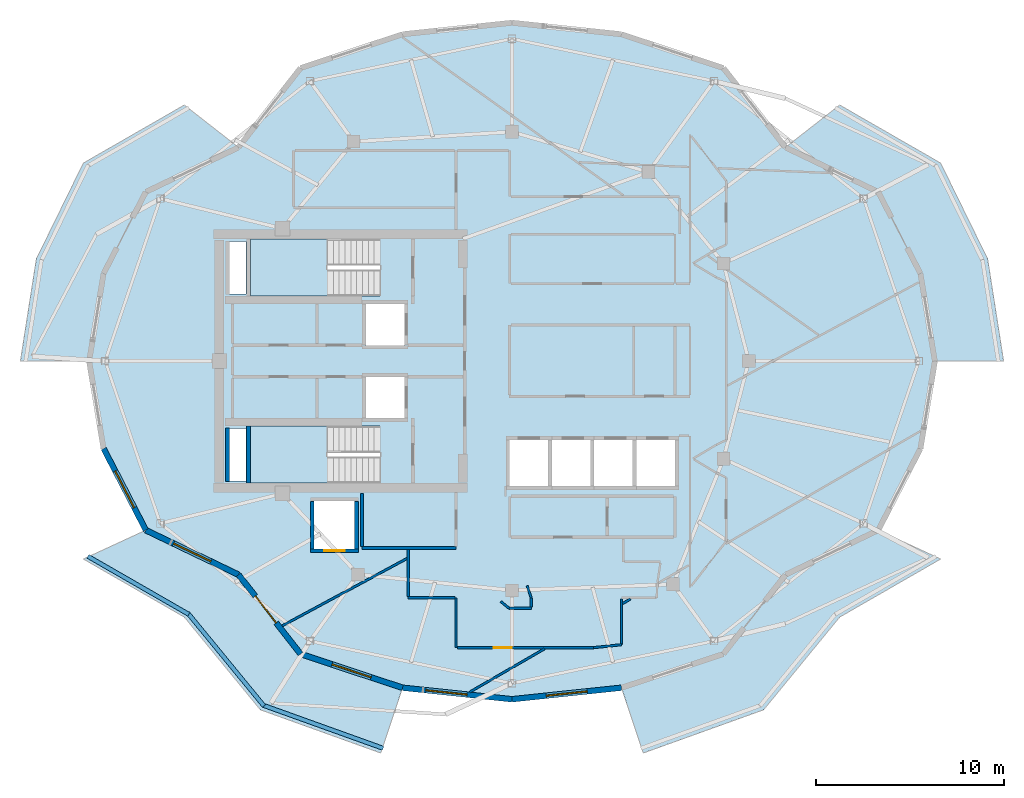
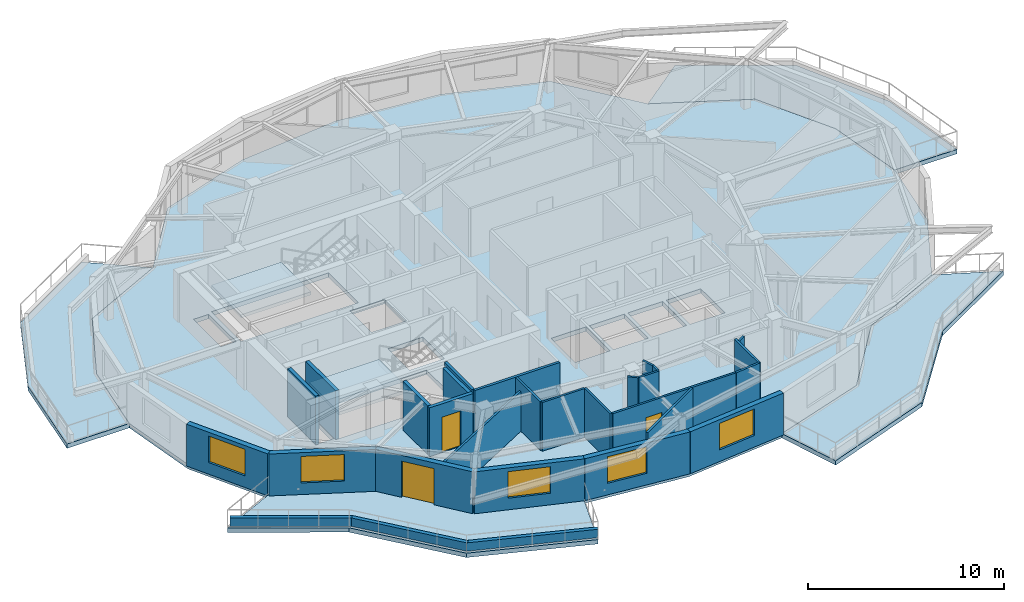
# One storey, part 3 of 9: 29 walls, 7 slabs, 5 windows, 3 doors, 8 openings, 2 elements without a shape of their own.
"""IFC4 building model written with IfcOpenShell, lengths in metres."""

from ifc_helpers import new_model, si_unit, direction, frame, frame_2d, origin, place, context, subcontext, project, spatial, polyline, rectangle, outline, extrude, material, layer, layer_set, type_object, element, fill, aggregate, save


model = new_model("IFC4")

# Units and contexts
model_context = context("Model", 3, precision=1e-05, world=origin(), true_north=direction((0.0, 1.0)))
body_context = subcontext(model_context, "Body", "Model", "MODEL_VIEW")
ifc_project = project(units=[si_unit("LENGTHUNIT", "METRE"), si_unit("AREAUNIT", "SQUARE_METRE"), si_unit("VOLUMEUNIT", "CUBIC_METRE"), si_unit("PLANEANGLEUNIT", "RADIAN"), si_unit("MASSUNIT", "GRAM", prefix="KILO")], contexts=[model_context])

# Site, building, storey
site_placement = place(None, origin())
site = spatial("IfcSite", under=ifc_project, at=site_placement, CompositionType="ELEMENT")
building_placement = place(site_placement, origin())
building = spatial("IfcBuilding", under=site, at=building_placement, Name="Kolvaren Gate Tower and Convention Centre", CompositionType="ELEMENT")
storey_placement = place(building_placement, frame((0.0, 0.0, 249.199951171875)))
storey = spatial("IfcBuildingStorey", under=building, at=storey_placement, Name="L67", CompositionType="ELEMENT", Elevation=249.199951171875)

# Slabs
ifc_material_1 = material(Name="Concrete C50/60", Category="concrete")
ifc_layer_1 = layer(ifc_material_1, 0.27001953125)
ifc_layer_set_1 = layer_set([ifc_layer_1], Name="Concrete C50/60")
slab_type_1 = type_object("IfcSlabType", Name="STR-SL-BALC-270", PredefinedType="FLOOR", material=ifc_layer_set_1)
slab_1_placement = place(storey_placement, frame((0.0, 0.0, -0.27001953125)))
element("IfcSlab", 1, at=slab_1_placement, inside=storey, type_object=slab_type_1, Name="Tower L67 Planted Balcony Terrace Slab 1 (East)", PredefinedType="FLOOR", context=body_context, shape_type="SweptSolid", body=[
    extrude(outline(polyline([(52.625, 27.0), (51.8583984375, 31.65869140625), (49.610595703125, 36.0), (44.67724609375, 38.370361328125), (47.561279296875, 40.623779296875), (52.933349609375, 37.53466796875), (55.43701171875, 32.42578125), (56.284912109375, 27.0), (52.625, 27.0)])), origin(), (0.0, 0.0, 1.0), 0.27001953125),
])
slab_2_placement = place(storey_placement, frame((0.0, 0.0, -0.27001953125)))
element("IfcSlab", 2, at=slab_2_placement, inside=storey, type_object=slab_type_1, Name="Tower L67 Planted Balcony Terrace Slab 2 (West)", PredefinedType="FLOOR", context=body_context, shape_type="SweptSolid", body=[
    extrude(outline(polyline([(15.57275390625, 38.370361328125), (10.639404296875, 36.0), (8.3916015625, 31.65869140625), (7.625, 27.0), (3.965087890625, 27.0), (4.81298828125, 32.42578125), (7.316650390625, 37.53466796875), (12.688720703125, 40.623779296875), (15.57275390625, 38.370361328125)])), origin(), (0.0, 0.0, 1.0), 0.27001953125),
])
slab_3_placement = place(storey_placement, frame((0.0, 0.0, -0.27001953125)))
element("IfcSlab", 3, at=slab_3_placement, inside=storey, type_object=slab_type_1, Name="Tower L67 Planted Balcony Terrace Slab 3 (South)", PredefinedType="FLOOR", context=body_context, shape_type="SweptSolid", body=[
    extrude(outline(polyline([(10.639404296875, 18.0), (15.57275390625, 15.629638671875), (18.875, 11.41162109375), (24.301513671875, 9.61328125), (23.13916015625, 6.142822265625), (16.733154296875, 8.443603515625), (12.688720703125, 13.376220703125), (7.316650390625, 16.46533203125), (10.639404296875, 18.0)])), origin(), (0.0, 0.0, 1.0), 0.27001953125),
])
slab_4_placement = place(storey_placement, frame((0.0, 0.0, -0.27001953125)))
element("IfcSlab", 4, at=slab_4_placement, inside=storey, type_object=slab_type_1, Name="Tower L67 Planted Balcony Terrace Slab 4 (South)", PredefinedType="FLOOR", context=body_context, shape_type="SweptSolid", body=[
    extrude(outline(polyline([(35.948486328125, 9.61328125), (41.375, 11.41162109375), (44.67724609375, 15.629638671875), (49.610595703125, 18.0), (52.933349609375, 16.46533203125), (47.561279296875, 13.376220703125), (43.516845703125, 8.443603515625), (37.11083984375, 6.142822265625), (35.948486328125, 9.61328125)])), origin(), (0.0, 0.0, 1.0), 0.27001953125),
])
ifc_material_2 = material(Name="Concrete C40/50", Category="concrete")
ifc_layer_2 = layer(ifc_material_2, 0.27001953125)
ifc_layer_set_2 = layer_set([ifc_layer_2], Name="Concrete C40/50")
slab_type_2 = type_object("IfcSlabType", Name="STR-SL-FLR-270", PredefinedType="FLOOR", material=ifc_layer_set_2)
slab_5_placement = place(storey_placement, frame((0.0, 0.0, -0.27001953125)))
element("IfcSlab", 5, at=slab_5_placement, inside=storey, type_object=slab_type_2, Name="Tower L67 Structural Floor Slab", PredefinedType="FLOOR", context=body_context, shape_type="SweptSolid", body=[
    extrude(outline(polyline([(52.625, 27.0), (51.8583984375, 31.65869140625), (49.610595703125, 36.0), (44.67724609375, 38.370361328125), (41.375, 42.58837890625), (35.948486328125, 44.38671875), (30.125, 45.0), (24.301513671875, 44.38671875), (18.875, 42.58837890625), (15.57275390625, 38.370361328125), (10.639404296875, 36.0), (8.3916015625, 31.65869140625), (7.625, 27.0), (8.3916015625, 22.34130859375), (10.639404296875, 18.0), (15.57275390625, 15.629638671875), (18.875, 11.41162109375), (24.301513671875, 9.61328125), (30.125, 9.0), (35.948486328125, 9.61328125), (41.375, 11.41162109375), (44.67724609375, 15.629638671875), (49.610595703125, 18.0), (51.8583984375, 22.34130859375), (52.625, 27.0)]), holes=[polyline([(36.75, 20.35009765625), (36.75, 22.800048828125), (38.800048828125, 22.800048828125), (38.800048828125, 20.35009765625), (36.75, 20.35009765625)]), polyline([(36.550048828125, 20.35009765625), (34.5, 20.35009765625), (34.5, 22.800048828125), (36.550048828125, 22.800048828125), (36.550048828125, 20.35009765625)]), polyline([(32.25, 20.35009765625), (32.25, 22.800048828125), (34.300048828125, 22.800048828125), (34.300048828125, 20.35009765625), (32.25, 20.35009765625)]), polyline([(30.0, 20.35009765625), (30.0, 22.800048828125), (32.050048828125, 22.800048828125), (32.050048828125, 20.35009765625), (30.0, 20.35009765625)]), polyline([(22.35009765625, 23.9599609375), (22.35009765625, 26.159912109375), (24.39990234375, 26.159912109375), (24.39990234375, 23.9599609375), (22.35009765625, 23.9599609375)]), polyline([(22.35009765625, 27.840087890625), (22.35009765625, 30.0400390625), (24.39990234375, 30.0400390625), (24.39990234375, 27.840087890625), (22.35009765625, 27.840087890625)]), polyline([(16.199951171875, 23.5400390625), (23.10009765625, 23.5400390625), (23.10009765625, 20.5), (16.199951171875, 20.5), (16.199951171875, 23.5400390625)]), polyline([(16.199951171875, 33.5), (23.10009765625, 33.5), (23.10009765625, 30.4599609375), (16.199951171875, 30.4599609375), (16.199951171875, 33.5)]), polyline([(21.75, 17.0), (19.60009765625, 17.0), (19.60009765625, 19.550048828125), (21.75, 19.550048828125), (21.75, 17.0)]), polyline([(15.080078125, 30.580078125), (15.080078125, 33.3701171875), (15.969970703125, 33.3701171875), (15.969970703125, 30.580078125), (15.080078125, 30.580078125)]), polyline([(15.969970703125, 20.6298828125), (15.080078125, 20.6298828125), (15.080078125, 23.419921875), (15.969970703125, 23.419921875), (15.969970703125, 20.6298828125)])]), origin(), (0.0, 0.0, 1.0), 0.27001953125),
])

# Stair, slab
stair_type = type_object("IfcStairType", Name="STR-STAIR-CORE", PredefinedType="HALF_TURN_STAIR", material=ifc_material_1)
stair_1_placement = place(storey_placement, origin())
stair_1 = element("IfcStair", 6, at=stair_1_placement, inside=storey, type_object=stair_type, Name="L67 Tower North Exit Stair ST-T1", PredefinedType="HALF_TURN_STAIR")
ifc_layer_3 = layer(ifc_material_1, 0.199951171875)
ifc_layer_set_3 = layer_set([ifc_layer_3], Name="Concrete C50/60")
slab_type_3 = type_object("IfcSlabType", Name="STR-SL-LAND-200", PredefinedType="LANDING", material=ifc_layer_set_3)
slab_6_placement = place(storey_placement, frame((0.0, 0.0, 1.449951171875)))
slab_6 = element("IfcSlab", 7, at=slab_6_placement, type_object=slab_type_3, Name="ST-T1 landing 1", PredefinedType="LANDING", context=body_context, shape_type="SweptSolid", body=[
    extrude(outline(polyline([(20.31005859375, 33.5), (16.199951171875, 33.5), (16.199951171875, 30.4599609375), (20.31005859375, 30.4599609375), (20.31005859375, 33.5)])), origin(), (0.0, 0.0, 1.0), 0.2001953125),
])
aggregate(stair_1, [slab_6])

stair_2_placement = place(storey_placement, origin())
stair_2 = element("IfcStair", 8, at=stair_2_placement, inside=storey, type_object=stair_type, Name="L67 Tower South Exit Stair ST-T2", PredefinedType="HALF_TURN_STAIR")
slab_7_placement = place(storey_placement, frame((0.0, 0.0, 1.449951171875)))
slab_7 = element("IfcSlab", 9, at=slab_7_placement, type_object=slab_type_3, Name="ST-T2 landing 1", PredefinedType="LANDING", context=body_context, shape_type="SweptSolid", body=[
    extrude(outline(polyline([(20.31005859375, 23.5400390625), (16.199951171875, 23.5400390625), (16.199951171875, 20.5), (20.31005859375, 20.5), (20.31005859375, 23.5400390625)])), origin(), (0.0, 0.0, 1.0), 0.2001953125),
])
aggregate(stair_2, [slab_7])

# Walls
ifc_material_3 = material(Name="Fire-Rated Acoustic Gypsum Stud Partition", Category="gypsum")
ifc_layer_4 = layer(ifc_material_3, 0.1201171875)
ifc_layer_set_4 = layer_set([ifc_layer_4], Name="Fire-Rated Acoustic Gypsum Stud Partition")
wall_type_1 = type_object("IfcWallType", Name="ARCH-WL-PART-120", PredefinedType="PARTITIONING", material=ifc_layer_set_4)
wall_1_placement = place(storey_placement, frame((27.14990234375, 11.75, 0.0), z_axis=(0.0, 0.0, 1.0), x_axis=(0.0, 1.0, 0.0)))
element("IfcWall", 10, at=wall_1_placement, inside=storey, type_object=wall_type_1, Name="Interior Partition WL-L67-INT-011", PredefinedType="PARTITIONING", context=body_context, shape_type="SweptSolid", body=[
    extrude(rectangle(XDim=2.64990234375, YDim=0.1201171875, at=frame_2d((1.324951171875, 0.0))), origin(), (0.0, 0.0, 1.0), 3.030029296875),
])
wall_2_placement = place(storey_placement, frame((24.60009765625, 14.39990234375, 0.0), z_axis=(0.0, 0.0, 1.0), x_axis=(1.0, 0.0, 0.0)))
element("IfcWall", 11, at=wall_2_placement, inside=storey, type_object=wall_type_1, Name="Interior Partition WL-L67-INT-056", PredefinedType="PARTITIONING", context=body_context, shape_type="SweptSolid", body=[
    extrude(rectangle(XDim=2.48779296875, YDim=0.1201171875, at=frame_2d((1.243896484375, 0.0))), origin(), (0.0, 0.0, 1.0), 3.030029296875),
])
wall_3_placement = place(storey_placement, frame((35.949951171875, 11.906005859375, 0.0), z_axis=(0.0, 0.0, 1.0), x_axis=(0.0, 1.0, 0.0)))
element("IfcWall", 12, at=wall_3_placement, inside=storey, type_object=wall_type_1, Name="Interior Partition WL-L67-INT-058", PredefinedType="PARTITIONING", context=body_context, shape_type="SweptSolid", body=[
    extrude(rectangle(XDim=2.431884765625, YDim=0.1201171875, at=frame_2d((1.2158203125, 0.0))), origin(), (0.0, 0.0, 1.0), 3.030029296875),
])
wall_4_placement = place(storey_placement, frame((34.468017578125, 11.75, 0.0), z_axis=(0.0, 0.0, 1.0), x_axis=(0.994504555135, 0.104693313135, 0.0)))
element("IfcWall", 13, at=wall_4_placement, inside=storey, type_object=wall_type_1, Name="Interior Partition WL-L67-INT-059", PredefinedType="PARTITIONING", context=body_context, shape_type="SweptSolid", body=[
    extrude(rectangle(XDim=1.490234375, YDim=0.1201171875, at=frame_2d((0.7451171875, 0.0))), origin(), (0.0, 0.0, 1.0), 3.030029296875),
])

# Wall, opening, door
wall_5_placement = place(storey_placement, frame((27.2119140625, 11.75, 0.0), z_axis=(0.0, 0.0, 1.0), x_axis=(1.0, 0.0, 0.0)))
wall_5 = element("IfcWall", 14, at=wall_5_placement, inside=storey, type_object=wall_type_1, Name="Interior Partition WL-L67-INT-060", PredefinedType="PARTITIONING", context=body_context, shape_type="SweptSolid", body=[
    extrude(rectangle(XDim=7.256103515625, YDim=0.1201171875, at=frame_2d((3.6279296875, 0.0))), origin(), (0.0, 0.0, 1.0), 3.030029296875),
])
opening_1_placement = place(wall_5_placement, frame((1.94384765625, 0.0, 0.0)))
opening_1 = element("IfcOpeningElement", 15, at=opening_1_placement, cuts=wall_5, Name="Opening DR-01", PredefinedType="OPENING", context=body_context, shape_type="SweptSolid", body=[
    extrude(rectangle(XDim=0.949951171875, YDim=2.10009765625, at=frame_2d((0.47509765625, 1.050048828125))), frame((0.0, 0.070068359375, 0.0), z_axis=(0.0, -1.0, 0.0), x_axis=(1.0, 0.0, 0.0)), (0.0, 0.0, 1.0), 0.14013671875),
])
ifc_material_4 = material(Name="Painted Architectural Steelwork ASTM A500 Grade C 345 MPa", Category="steel")
door_type_1 = type_object("IfcDoorType", Name="ARCH-DR-RISER-950", OperationType="SINGLE_SWING_RIGHT", PredefinedType="DOOR", material=ifc_material_4)
door_1_placement = place(opening_1_placement, origin())
door_1 = element("IfcDoor", 16, at=door_1_placement, inside=storey, type_object=door_type_1, Name="Penthouse Strategy Boardroom Door", OperationType="SINGLE_SWING_RIGHT", OverallHeight=2.10009765625, OverallWidth=0.949951171875, PredefinedType="DOOR", context=body_context, shape_type="SweptSolid", body=[
    extrude(rectangle(XDim=0.949951171875, YDim=2.10009765625, at=frame_2d((0.47509765625, 1.050048828125))), frame((0.0, 0.02490234375, 0.0), z_axis=(0.0, -1.0, 0.0), x_axis=(1.0, 0.0, 0.0)), (0.0, 0.0, 1.0), 0.050048828125),
])
fill(opening_1, door_1)

# Walls
wall_6_placement = place(storey_placement, frame((24.60009765625, 14.4619140625, 0.0), z_axis=(0.0, 0.0, 1.0), x_axis=(0.0, 1.0, 0.0)))
element("IfcWall", 17, at=wall_6_placement, inside=storey, type_object=wall_type_1, Name="Interior Partition WL-L67-INT-061", PredefinedType="PARTITIONING", context=body_context, shape_type="SweptSolid", body=[
    extrude(rectangle(XDim=2.510986328125, YDim=0.1201171875, at=frame_2d((1.25537109375, 0.0))), origin(), (0.0, 0.0, 1.0), 3.030029296875),
])
wall_7_placement = place(storey_placement, frame((29.9599609375, 13.85009765625, 0.0), z_axis=(0.0, 0.0, 1.0), x_axis=(1.0, 0.0, 0.0)))
element("IfcWall", 18, at=wall_7_placement, inside=storey, type_object=wall_type_1, Name="Interior Partition WL-L67-INT-062", PredefinedType="PARTITIONING", context=body_context, shape_type="SweptSolid", body=[
    extrude(rectangle(XDim=1.18994140625, YDim=0.1201171875, at=frame_2d((0.594970703125, 0.0))), origin(), (0.0, 0.0, 1.0), 3.030029296875),
])
wall_8_placement = place(storey_placement, frame((31.14990234375, 13.912109375, 0.0), z_axis=(0.0, 0.0, 1.0), x_axis=(0.0, 1.0, 0.0)))
element("IfcWall", 19, at=wall_8_placement, inside=storey, type_object=wall_type_1, Name="Interior Partition WL-L67-INT-063", PredefinedType="PARTITIONING", context=body_context, shape_type="SweptSolid", body=[
    extrude(rectangle(XDim=0.48779296875, YDim=0.1201171875, at=frame_2d((0.243896484375, 0.0))), origin(), (0.0, 0.0, 1.0), 3.030029296875),
])
wall_9_placement = place(storey_placement, frame((30.928955078125, 15.0439453125, 0.0), z_axis=(0.0, 0.0, 1.0), x_axis=(0.324498492416, -0.945886213252, 0.0)))
element("IfcWall", 20, at=wall_9_placement, inside=storey, type_object=wall_type_1, Name="Interior Partition WL-L67-INT-064", PredefinedType="PARTITIONING", context=body_context, shape_type="SweptSolid", body=[
    extrude(rectangle(XDim=0.680908203125, YDim=0.1201171875, at=frame_2d((0.34033203125, 0.0))), origin(), (0.0, 0.0, 1.0), 3.030029296875),
])
wall_10_placement = place(storey_placement, frame((29.531005859375, 14.2060546875, 0.0), z_axis=(0.0, 0.0, 1.0), x_axis=(0.7695479554, -0.638589026166, 0.0)))
element("IfcWall", 21, at=wall_10_placement, inside=storey, type_object=wall_type_1, Name="Interior Partition WL-L67-INT-065", PredefinedType="PARTITIONING", context=body_context, shape_type="SweptSolid", body=[
    extrude(rectangle(XDim=0.557373046875, YDim=0.1201171875, at=frame_2d((0.27880859375, 0.0))), origin(), (0.0, 0.0, 1.0), 3.030029296875),
])
wall_11_placement = place(storey_placement, frame((17.895263671875, 12.90966796875, 0.0), z_axis=(0.0, 0.0, 1.0), x_axis=(0.880038694226, 0.474901986377, 0.0)))
element("IfcWall", 22, at=wall_11_placement, inside=storey, type_object=wall_type_1, Name="Interior Partition WL-L67-INT-066", PredefinedType="PARTITIONING", context=body_context, shape_type="SweptSolid", body=[
    extrude(rectangle(XDim=7.54833984375, YDim=0.1201171875, at=frame_2d((3.774169921875, 0.0))), origin(), (0.0, 0.0, 1.0), 2.47802734375),
])
wall_12_placement = place(storey_placement, frame((27.884033203125, 9.388916015625, 0.0), z_axis=(0.0, 0.0, 1.0), x_axis=(0.865363124713, 0.501145350558, 0.0)))
element("IfcWall", 23, at=wall_12_placement, inside=storey, type_object=wall_type_1, Name="Interior Partition WL-L67-INT-068", PredefinedType="PARTITIONING", context=body_context, shape_type="SweptSolid", body=[
    extrude(rectangle(XDim=4.587646484375, YDim=0.1201171875, at=frame_2d((2.2939453125, 0.0))), origin(), (0.0, 0.0, 1.0), 3.030029296875),
])
wall_13_placement = place(storey_placement, frame((36.011962890625, 14.09619140625, 0.0), z_axis=(0.0, 0.0, 1.0), x_axis=(0.865553251364, 0.500816901724, 0.0)))
element("IfcWall", 24, at=wall_13_placement, inside=storey, type_object=wall_type_1, Name="Interior Partition WL-L67-INT-069", PredefinedType="PARTITIONING", context=body_context, shape_type="SweptSolid", body=[
    extrude(rectangle(XDim=0.482666015625, YDim=0.1201171875, at=frame_2d((0.2412109375, 0.0))), origin(), (0.0, 0.0, 1.0), 3.030029296875),
])
ifc_material_5 = material(Name="Piedmont Cream Honed Limestone Cladding", Category="masonry")
ifc_layer_5 = layer(ifc_material_5, 0.219970703125)
ifc_layer_set_5 = layer_set([ifc_layer_5], Name="Piedmont Cream Honed Limestone Cladding")
wall_type_2 = type_object("IfcWallType", Name="ARCH-WL-PLANTER-220", PredefinedType="PARAPET", material=ifc_layer_set_5)
wall_14_placement = place(storey_placement, frame((7.556884765625, 16.609375, 0.0), z_axis=(0.0, 0.0, 1.0), x_axis=(0.866901621005, -0.49847926687, 0.0)))
element("IfcWall", 25, at=wall_14_placement, inside=storey, type_object=wall_type_2, Name="Vertical-Forest Balcony Stone Planter Kerb PK-L67-3.1", PredefinedType="PARAPET", context=body_context, shape_type="SweptSolid", body=[
    extrude(rectangle(XDim=6.196533203125, YDim=0.219970703125, at=frame_2d((3.09814453125, 0.0))), origin(), (0.0, 0.0, 1.0), 0.52001953125),
])
wall_15_placement = place(storey_placement, frame((12.88232421875, 13.57861328125, 0.0), z_axis=(0.0, 0.0, 1.0), x_axis=(0.63407318032, -0.77327304492, 0.0)))
element("IfcWall", 26, at=wall_15_placement, inside=storey, type_object=wall_type_2, Name="Vertical-Forest Balcony Stone Planter Kerb PK-L67-3.2", PredefinedType="PARAPET", context=body_context, shape_type="SweptSolid", body=[
    extrude(rectangle(XDim=6.37890625, YDim=0.219970703125, at=frame_2d((3.189453125, 0.0))), origin(), (0.0, 0.0, 1.0), 0.52001953125),
])
wall_16_placement = place(storey_placement, frame((16.86181640625, 8.6923828125, 0.0), z_axis=(0.0, 0.0, 1.0), x_axis=(0.941139090914, -0.338019543152, 0.0)))
element("IfcWall", 27, at=wall_16_placement, inside=storey, type_object=wall_type_2, Name="Vertical-Forest Balcony Stone Planter Kerb PK-L67-3.3", PredefinedType="PARAPET", context=body_context, shape_type="SweptSolid", body=[
    extrude(rectangle(XDim=6.806640625, YDim=0.219970703125, at=frame_2d((3.4033203125, 0.0))), origin(), (0.0, 0.0, 1.0), 0.52001953125),
])

# Wall, opening, door
ifc_material_6 = material(Name="Autoclaved Aerated Masonry Blockwork Class 4 (4.0 MPa)", Category="masonry")
ifc_layer_6 = layer(ifc_material_6, 0.199951171875)
ifc_layer_set_6 = layer_set([ifc_layer_6], Name="Autoclaved Aerated Masonry Blockwork Class 4 (4.0 MPa)")
wall_type_3 = type_object("IfcWallType", Name="ARCH-WL-SHAFT-200", PredefinedType="SOLIDWALL", material=ifc_layer_set_6)
wall_17_placement = place(storey_placement, frame((19.39990234375, 16.89990234375, 0.0), z_axis=(0.0, 0.0, 1.0), x_axis=(1.0, 0.0, 0.0)))
wall_17 = element("IfcWall", 28, at=wall_17_placement, inside=storey, type_object=wall_type_3, Name="Elevator SV-01 L67 Fire Shaft Wall S", PredefinedType="SOLIDWALL", context=body_context, shape_type="SweptSolid", body=[
    extrude(rectangle(XDim=2.550048828125, YDim=0.199951171875, at=frame_2d((1.27490234375, 0.0))), origin(), (0.0, 0.0, 1.0), 3.030029296875),
])
opening_2_placement = place(wall_17_placement, frame((0.72509765625, 0.0, 0.0)))
opening_2 = element("IfcOpeningElement", 29, at=opening_2_placement, cuts=wall_17, Name="Opening LD", PredefinedType="OPENING", context=body_context, shape_type="SweptSolid", body=[
    extrude(rectangle(XDim=1.10009765625, YDim=2.199951171875, at=frame_2d((0.550048828125, 1.10009765625))), frame((0.0, 0.10986328125, 0.0), z_axis=(0.0, -1.0, 0.0), x_axis=(1.0, 0.0, 0.0)), (0.0, 0.0, 1.0), 0.219970703125),
])
ifc_material_7 = material(Name="Brushed Stainless Steel Grade 316L", Category="steel")
door_type_2 = type_object("IfcDoorType", Name="ARCH-DR-LIFT-1100", OperationType="SLIDING_TO_LEFT", PredefinedType="DOOR", material=ifc_material_7)
door_2_placement = place(opening_2_placement, origin())
door_2 = element("IfcDoor", 30, at=door_2_placement, inside=storey, type_object=door_type_2, Name="Elevator SV-01 L67 Sliding Landing Door", OperationType="SLIDING_TO_LEFT", OverallHeight=2.199951171875, OverallWidth=1.10009765625, PredefinedType="DOOR", context=body_context, shape_type="SweptSolid", body=[
    extrude(rectangle(XDim=1.10009765625, YDim=2.199951171875, at=frame_2d((0.550048828125, 1.10009765625))), frame((0.0, 0.02490234375, 0.0), z_axis=(0.0, -1.0, 0.0), x_axis=(1.0, 0.0, 0.0)), (0.0, 0.0, 1.0), 0.050048828125),
])
fill(opening_2, door_2)

# Walls
for number, where, z_axis, x_axis, name in (
    (31, (19.5, 17.010009765625, 0.0), (0.0, 0.0, 1.0), (0.0, 1.0, 0.0), "Elevator SV-01 L67 Fire Shaft Wall W"),
    (32, (21.85009765625, 17.010009765625, 0.0), (0.0, 0.0, 1.0), (0.0, 1.0, 0.0), "Elevator SV-01 L67 Fire Shaft Wall E"),
):
    element("IfcWall", number, at=place(storey_placement, frame(where, z_axis=z_axis, x_axis=x_axis)), inside=storey, type_object=wall_type_3, Name=name, PredefinedType="SOLIDWALL", context=body_context, shape_type="SweptSolid", body=[
        extrude(rectangle(XDim=2.530029296875, YDim=0.199951171875, at=frame_2d((1.26513671875, 0.0))), origin(), (0.0, 0.0, 1.0), 3.030029296875),
    ])
wall_18_placement = place(storey_placement, frame((14.989990234375, 20.60009765625, 0.0), z_axis=(0.0, 0.0, 1.0), x_axis=(0.0, 1.0, 0.0)))
element("IfcWall", 33, at=wall_18_placement, inside=storey, type_object=wall_type_3, Name="Vertical Shaft MPR L67 EI-120 Enclosure Wall W", PredefinedType="SOLIDWALL", context=body_context, shape_type="SweptSolid", body=[
    extrude(rectangle(XDim=2.849853515625, YDim=0.199951171875, at=frame_2d((1.4248046875, 0.0))), origin(), (0.0, 0.0, 1.0), 3.030029296875),
])

# Wall, opening, window
ifc_layer_7 = layer(ifc_material_5, 0.300048828125)
ifc_layer_set_7 = layer_set([ifc_layer_7], Name="Piedmont Cream Honed Limestone Cladding")
wall_type_4 = type_object("IfcWallType", Name="ARCH-WL-STONE-300", PredefinedType="SOLIDWALL", material=ifc_layer_set_7)
wall_19_placement = place(storey_placement, frame((8.3916015625, 22.34130859375, 0.0), z_axis=(0.0, 0.0, 1.0), x_axis=(0.459793771602, -0.888025724625, 0.0)))
wall_19 = element("IfcWall", 34, at=wall_19_placement, inside=storey, type_object=wall_type_4, Name="Tower L67 Honed Stone Spandrel Wall EW-13", PredefinedType="SOLIDWALL", context=body_context, shape_type="SweptSolid", body=[
    extrude(rectangle(XDim=4.888671875, YDim=0.300048828125, at=frame_2d((2.4443359375, 0.0))), origin(), (0.0, 0.0, 1.0), 2.60498046875),
])
opening_3_placement = place(wall_19_placement, frame((1.343994140625, 0.0, 0.719970703125)))
opening_3 = element("IfcOpeningElement", 35, at=opening_3_placement, cuts=wall_19, Name="Opening W-03", PredefinedType="OPENING", context=body_context, shape_type="SweptSolid", body=[
    extrude(rectangle(XDim=2.199951171875, YDim=1.64990234375, at=frame_2d((1.10009765625, 0.824951171875))), frame((0.0, 0.159912109375, 0.0), z_axis=(0.0, -1.0, 0.0), x_axis=(1.0, 0.0, 0.0)), (0.0, 0.0, 1.0), 0.320068359375),
])
ifc_material_8 = material(Name="Low-E Triple Insulated Glazing Unit 44 mm", Category="glass")
window_type = type_object("IfcWindowType", Name="ARCH-WN-RES-2200", PartitioningType="SINGLE_PANEL", PredefinedType="WINDOW", material=ifc_material_8)
window_1_placement = place(opening_3_placement, origin())
window_1 = element("IfcWindow", 36, at=window_1_placement, inside=storey, type_object=window_type, Name="Tower L67 Punched Stone Facade Window W-13", OverallHeight=1.64990234375, OverallWidth=2.199951171875, PartitioningType="SINGLE_PANEL", PredefinedType="WINDOW", context=body_context, shape_type="SweptSolid", body=[
    extrude(rectangle(XDim=2.199951171875, YDim=1.64990234375, at=frame_2d((1.10009765625, 0.824951171875))), frame((0.0, 0.030029296875, 0.0), z_axis=(0.0, -1.0, 0.0), x_axis=(1.0, 0.0, 0.0)), (0.0, 0.0, 1.0), 0.06005859375),
])
fill(opening_3, window_1)

wall_20_placement = place(storey_placement, frame((10.639404296875, 18.0, 0.0), z_axis=(0.0, 0.0, 1.0), x_axis=(0.901355238351, -0.433080517106, 0.0)))
wall_20 = element("IfcWall", 37, at=wall_20_placement, inside=storey, type_object=wall_type_4, Name="Tower L67 Honed Stone Spandrel Wall EW-14", PredefinedType="SOLIDWALL", context=body_context, shape_type="SweptSolid", body=[
    extrude(rectangle(XDim=5.47314453125, YDim=0.300048828125, at=frame_2d((2.736572265625, 0.0))), origin(), (0.0, 0.0, 1.0), 2.60498046875),
])
opening_4_placement = place(wall_20_placement, frame((1.636962890625, 0.0, 0.719970703125)))
opening_4 = element("IfcOpeningElement", 38, at=opening_4_placement, cuts=wall_20, Name="Opening W-03", PredefinedType="OPENING", context=body_context, shape_type="SweptSolid", body=[
    extrude(rectangle(XDim=2.199951171875, YDim=1.64990234375, at=frame_2d((1.10009765625, 0.824951171875))), frame((0.0, 0.159912109375, 0.0), z_axis=(0.0, -1.0, 0.0), x_axis=(1.0, 0.0, 0.0)), (0.0, 0.0, 1.0), 0.320068359375),
])
window_2_placement = place(opening_4_placement, origin())
window_2 = element("IfcWindow", 39, at=window_2_placement, inside=storey, type_object=window_type, Name="Tower L67 Punched Stone Facade Window W-14", OverallHeight=1.64990234375, OverallWidth=2.199951171875, PartitioningType="SINGLE_PANEL", PredefinedType="WINDOW", context=body_context, shape_type="SweptSolid", body=[
    extrude(rectangle(XDim=2.199951171875, YDim=1.64990234375, at=frame_2d((1.10009765625, 0.824951171875))), frame((0.0, 0.030029296875, 0.0), z_axis=(0.0, -1.0, 0.0), x_axis=(1.0, 0.0, 0.0)), (0.0, 0.0, 1.0), 0.06005859375),
])
fill(opening_4, window_2)

# Wall, opening, door
wall_21_placement = place(storey_placement, frame((15.57275390625, 15.629638671875, 0.0), z_axis=(0.0, 0.0, 1.0), x_axis=(0.61644588519, -0.787397276241, 0.0)))
wall_21 = element("IfcWall", 40, at=wall_21_placement, inside=storey, type_object=wall_type_4, Name="Tower L67 Honed Stone Spandrel Wall EW-15", PredefinedType="SOLIDWALL", context=body_context, shape_type="SweptSolid", body=[
    extrude(rectangle(XDim=5.35693359375, YDim=0.300048828125, at=frame_2d((2.678466796875, 0.0))), origin(), (0.0, 0.0, 1.0), 2.60498046875),
])
opening_5_placement = place(wall_21_placement, frame((1.449951171875, 0.0, 0.0)))
opening_5 = element("IfcOpeningElement", 41, at=opening_5_placement, cuts=wall_21, Name="Opening DB-01", PredefinedType="OPENING", context=body_context, shape_type="SweptSolid", body=[
    extrude(rectangle(XDim=1.800048828125, YDim=2.25, at=frame_2d((0.89990234375, 1.125))), frame((0.0, 0.159912109375, 0.0), z_axis=(0.0, -1.0, 0.0), x_axis=(1.0, 0.0, 0.0)), (0.0, 0.0, 1.0), 0.320068359375),
])
ifc_material_9 = material(Name="Anodized Architectural Aluminium Alloy 6063-T6", Category="aluminium")
door_type_3 = type_object("IfcDoorType", Name="ARCH-DR-BALC-1800", OperationType="SLIDING_TO_LEFT", PredefinedType="DOOR", material=ifc_material_9)
door_3_placement = place(opening_5_placement, frame((1.800048828125, 0.0, 0.0), z_axis=(0.0, 0.0, 1.0), x_axis=(-1.0, 0.0, 0.0)))
door_3 = element("IfcDoor", 42, at=door_3_placement, inside=storey, type_object=door_type_3, Name="Planted Sky Terrace Access Door DB-L67-15", OperationType="SLIDING_TO_LEFT", OverallHeight=2.25, OverallWidth=1.800048828125, PredefinedType="DOOR", context=body_context, shape_type="SweptSolid", body=[
    extrude(rectangle(XDim=1.800048828125, YDim=2.25, at=frame_2d((0.89990234375, 1.125))), frame((0.0, 0.02490234375, 0.0), z_axis=(0.0, -1.0, 0.0), x_axis=(1.0, 0.0, 0.0)), (0.0, 0.0, 1.0), 0.050048828125),
])
fill(opening_5, door_3)

# Wall, opening, window
wall_22_placement = place(storey_placement, frame((18.875, 11.41162109375, 0.0), z_axis=(0.0, 0.0, 1.0), x_axis=(0.949232769585, -0.314574552605, 0.0)))
wall_22 = element("IfcWall", 43, at=wall_22_placement, inside=storey, type_object=wall_type_4, Name="Tower L67 Honed Stone Spandrel Wall EW-16", PredefinedType="SOLIDWALL", context=body_context, shape_type="SweptSolid", body=[
    extrude(rectangle(XDim=5.716796875, YDim=0.300048828125, at=frame_2d((2.8583984375, 0.0))), origin(), (0.0, 0.0, 1.0), 2.60498046875),
])
opening_6_placement = place(wall_22_placement, frame((1.758056640625, 0.0, 0.719970703125)))
opening_6 = element("IfcOpeningElement", 44, at=opening_6_placement, cuts=wall_22, Name="Opening W-03", PredefinedType="OPENING", context=body_context, shape_type="SweptSolid", body=[
    extrude(rectangle(XDim=2.199951171875, YDim=1.64990234375, at=frame_2d((1.10009765625, 0.824951171875))), frame((0.0, 0.159912109375, 0.0), z_axis=(0.0, -1.0, 0.0), x_axis=(1.0, 0.0, 0.0)), (0.0, 0.0, 1.0), 0.320068359375),
])
window_3_placement = place(opening_6_placement, origin())
window_3 = element("IfcWindow", 45, at=window_3_placement, inside=storey, type_object=window_type, Name="Tower L67 Punched Stone Facade Window W-16", OverallHeight=1.64990234375, OverallWidth=2.199951171875, PartitioningType="SINGLE_PANEL", PredefinedType="WINDOW", context=body_context, shape_type="SweptSolid", body=[
    extrude(rectangle(XDim=2.199951171875, YDim=1.64990234375, at=frame_2d((1.10009765625, 0.824951171875))), frame((0.0, 0.030029296875, 0.0), z_axis=(0.0, -1.0, 0.0), x_axis=(1.0, 0.0, 0.0)), (0.0, 0.0, 1.0), 0.06005859375),
])
fill(opening_6, window_3)

wall_23_placement = place(storey_placement, frame((24.301513671875, 9.61328125, 0.0), z_axis=(0.0, 0.0, 1.0), x_axis=(0.994500425783, -0.10473253132, 0.0)))
wall_23 = element("IfcWall", 46, at=wall_23_placement, inside=storey, type_object=wall_type_4, Name="Tower L67 Honed Stone Spandrel Wall EW-17", PredefinedType="SOLIDWALL", context=body_context, shape_type="SweptSolid", body=[
    extrude(rectangle(XDim=5.855712890625, YDim=0.300048828125, at=frame_2d((2.927734375, 0.0))), origin(), (0.0, 0.0, 1.0), 2.60498046875),
])
opening_7_placement = place(wall_23_placement, frame((1.25, 0.0, 0.719970703125)))
opening_7 = element("IfcOpeningElement", 47, at=opening_7_placement, cuts=wall_23, Name="Opening W-03", PredefinedType="OPENING", context=body_context, shape_type="SweptSolid", body=[
    extrude(rectangle(XDim=2.199951171875, YDim=1.64990234375, at=frame_2d((1.10009765625, 0.824951171875))), frame((0.0, 0.159912109375, 0.0), z_axis=(0.0, -1.0, 0.0), x_axis=(1.0, 0.0, 0.0)), (0.0, 0.0, 1.0), 0.320068359375),
])
window_4_placement = place(opening_7_placement, origin())
window_4 = element("IfcWindow", 48, at=window_4_placement, inside=storey, type_object=window_type, Name="Tower L67 Punched Stone Facade Window W-17", OverallHeight=1.64990234375, OverallWidth=2.199951171875, PartitioningType="SINGLE_PANEL", PredefinedType="WINDOW", context=body_context, shape_type="SweptSolid", body=[
    extrude(rectangle(XDim=2.199951171875, YDim=1.64990234375, at=frame_2d((1.10009765625, 0.824951171875))), frame((0.0, 0.030029296875, 0.0), z_axis=(0.0, -1.0, 0.0), x_axis=(1.0, 0.0, 0.0)), (0.0, 0.0, 1.0), 0.06005859375),
])
fill(opening_7, window_4)

wall_24_placement = place(storey_placement, frame((30.125, 9.0, 0.0), z_axis=(0.0, 0.0, 1.0), x_axis=(0.994500425783, 0.10473253132, 0.0)))
wall_24 = element("IfcWall", 49, at=wall_24_placement, inside=storey, type_object=wall_type_4, Name="Tower L67 Honed Stone Spandrel Wall EW-18", PredefinedType="SOLIDWALL", context=body_context, shape_type="SweptSolid", body=[
    extrude(rectangle(XDim=5.855712890625, YDim=0.300048828125, at=frame_2d((2.927734375, 0.0))), origin(), (0.0, 0.0, 1.0), 2.60498046875),
])
opening_8_placement = place(wall_24_placement, frame((1.827880859375, 0.0, 0.719970703125)))
opening_8 = element("IfcOpeningElement", 50, at=opening_8_placement, cuts=wall_24, Name="Opening W-03", PredefinedType="OPENING", context=body_context, shape_type="SweptSolid", body=[
    extrude(rectangle(XDim=2.199951171875, YDim=1.64990234375, at=frame_2d((1.10009765625, 0.824951171875))), frame((0.0, 0.159912109375, 0.0), z_axis=(0.0, -1.0, 0.0), x_axis=(1.0, 0.0, 0.0)), (0.0, 0.0, 1.0), 0.320068359375),
])
window_5_placement = place(opening_8_placement, origin())
window_5 = element("IfcWindow", 51, at=window_5_placement, inside=storey, type_object=window_type, Name="Tower L67 Punched Stone Facade Window W-18", OverallHeight=1.64990234375, OverallWidth=2.199951171875, PartitioningType="SINGLE_PANEL", PredefinedType="WINDOW", context=body_context, shape_type="SweptSolid", body=[
    extrude(rectangle(XDim=2.199951171875, YDim=1.64990234375, at=frame_2d((1.10009765625, 0.824951171875))), frame((0.0, 0.030029296875, 0.0), z_axis=(0.0, -1.0, 0.0), x_axis=(1.0, 0.0, 0.0)), (0.0, 0.0, 1.0), 0.06005859375),
])
fill(opening_8, window_5)

# Walls
ifc_material_10 = material(Name="Moisture-Resistant Cement-Board Acoustic Partition", Category="gypsum")
ifc_layer_8 = layer(ifc_material_10, 0.14990234375)
ifc_layer_set_8 = layer_set([ifc_layer_8], Name="Moisture-Resistant Cement-Board Acoustic Partition")
wall_type_5 = type_object("IfcWallType", Name="ARCH-WL-WET-150", PredefinedType="PARTITIONING", material=ifc_layer_set_8)
wall_25_placement = place(storey_placement, frame((22.14990234375, 17.050048828125, 0.0), z_axis=(0.0, 0.0, 1.0), x_axis=(1.0, 0.0, 0.0)))
element("IfcWall", 52, at=wall_25_placement, inside=storey, type_object=wall_type_5, Name="Interior Partition WL-L67-INT-009", PredefinedType="PARTITIONING", context=body_context, shape_type="SweptSolid", body=[
    extrude(rectangle(XDim=5.0, YDim=0.14990234375, at=frame_2d((2.5, 0.0))), origin(), (0.0, 0.0, 1.0), 3.030029296875),
])
wall_26_placement = place(storey_placement, frame((22.14990234375, 17.126953125, 0.0), z_axis=(0.0, 0.0, 1.0), x_axis=(0.0, 1.0, 0.0)))
element("IfcWall", 53, at=wall_26_placement, inside=storey, type_object=wall_type_5, Name="Interior Partition WL-L67-INT-010", PredefinedType="PARTITIONING", context=body_context, shape_type="SweptSolid", body=[
    extrude(rectangle(XDim=2.822998046875, YDim=0.14990234375, at=frame_2d((1.41162109375, 0.0))), origin(), (0.0, 0.0, 1.0), 3.030029296875),
])
ifc_layer_9 = layer(ifc_material_1, 0.199951171875)
ifc_layer_set_9 = layer_set([ifc_layer_9], Name="Concrete C50/60")
wall_type_6 = type_object("IfcWallType", Name="STR-WL-SHAFT-200", PredefinedType="SHEAR", material=ifc_layer_set_9)
wall_27_placement = place(storey_placement, frame((16.10009765625, 20.501953125, -0.27001953125), z_axis=(0.0, 0.0, 1.0), x_axis=(0.0, 1.0, 0.0)))
element("IfcWall", 54, at=wall_27_placement, inside=storey, type_object=wall_type_6, Name="Tower South Exit Stair ST-T2 L67 Structural Shear Enclosure Wall FAR", PredefinedType="SHEAR", context=body_context, shape_type="SweptSolid", body=[
    extrude(rectangle(XDim=3.0361328125, YDim=0.199951171875, at=frame_2d((1.51806640625, 0.0))), origin(), (0.0, 0.0, 1.0), 3.300048828125),
])

save(model, "model.ifc")
